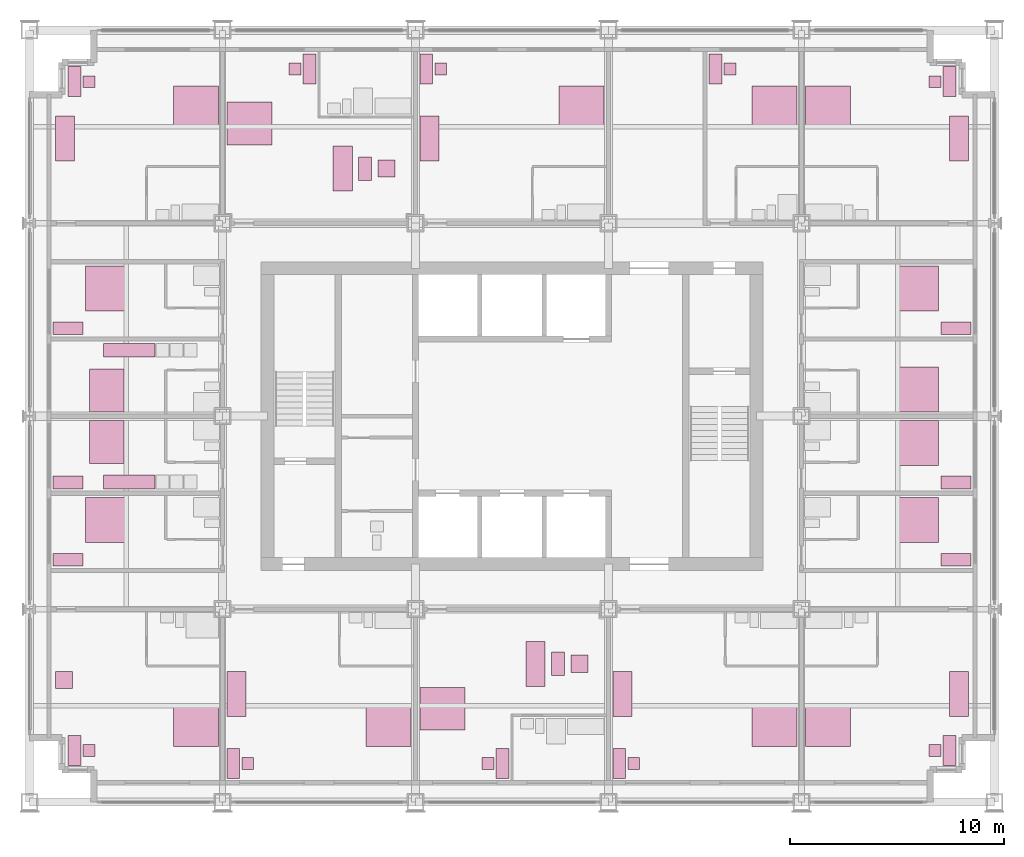
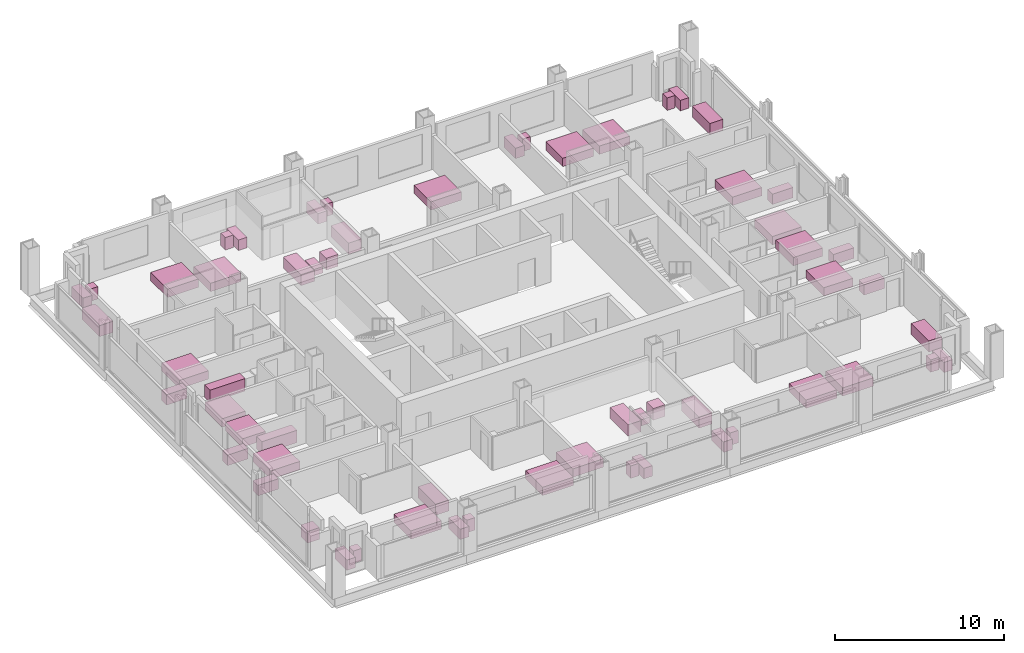
# One storey, part 16 of 16: 59 furniture elements.
"""IFC4 building model written with IfcOpenShell, lengths in metres."""

from ifc_helpers import new_model, si_unit, direction, frame, origin, origin_2d, place, context, subcontext, project, spatial, rectangle, extrude, element, save


model = new_model("IFC4")

# Units and contexts
model_context = context("Model", 3, precision=1e-05, world=origin(), true_north=direction((0.0, 1.0)))
body_context = subcontext(model_context, "Body", "Model", "MODEL_VIEW")
ifc_project = project(units=[si_unit("LENGTHUNIT", "METRE"), si_unit("AREAUNIT", "SQUARE_METRE"), si_unit("VOLUMEUNIT", "CUBIC_METRE"), si_unit("PLANEANGLEUNIT", "RADIAN"), si_unit("MASSUNIT", "GRAM", prefix="KILO")], contexts=[model_context])

# Site, building, storey
site_placement = place(None, origin())
site = spatial("IfcSite", under=ifc_project, at=site_placement, CompositionType="ELEMENT")
building_placement = place(site_placement, origin())
building = spatial("IfcBuilding", under=site, at=building_placement, Name="Loomwork Tower", CompositionType="ELEMENT")
storey_placement = place(building_placement, frame((0.0, 0.0, 114.60009765625)))
storey = spatial("IfcBuildingStorey", under=building, at=storey_placement, Name="L30", CompositionType="ELEMENT", Elevation=114.60009765625)

# Furniture
furniture_1_placement = place(storey_placement, frame((7.75, 3.60009765625, -0.000244140625), z_axis=(0.0, 0.0, 1.0), x_axis=(1.0, 0.0, 0.0)))
element("IfcFurniture", 1, at=furniture_1_placement, inside=storey, Name="King bed L30", PredefinedType="BED", context=body_context, shape_type="SweptSolid", body=[
    extrude(rectangle(XDim=2.10009765625, YDim=2.0, at=origin_2d()), origin(), (0.0, 0.0, 1.0), 0.60009765625),
])
furniture_2_placement = place(storey_placement, frame((2.10009765625, 2.39990234375, 0.0), z_axis=(0.0, 0.0, 1.0), x_axis=(1.0, 0.0, 0.0)))
element("IfcFurniture", 2, at=furniture_2_placement, inside=storey, Name="Writing desk L30", PredefinedType="DESK", context=body_context, shape_type="SweptSolid", body=[
    extrude(rectangle(XDim=0.60009765625, YDim=1.39990234375, at=origin_2d()), origin(), (0.0, 0.0, 1.0), 0.75),
])
furniture_3_placement = place(storey_placement, frame((2.77490234375, 2.39990234375, 0.0), z_axis=(0.0, 0.0, 1.0), x_axis=(1.0, 0.0, 0.0)))
element("IfcFurniture", 3, at=furniture_3_placement, inside=storey, Name="Desk chair L30", PredefinedType="CHAIR", context=body_context, shape_type="SweptSolid", body=[
    extrude(rectangle(XDim=0.550048828125, YDim=0.550048828125, at=origin_2d()), origin(), (0.0, 0.0, 1.0), 0.89990234375),
])
furniture_4_placement = place(storey_placement, frame((1.60009765625, 5.699951171875, -0.000244140625), z_axis=(0.0, 0.0, 1.0), x_axis=(1.0, 0.0, 0.0)))
element("IfcFurniture", 4, at=furniture_4_placement, inside=storey, Name="Lounge armchair L30", PredefinedType="CHAIR", context=body_context, shape_type="SweptSolid", body=[
    extrude(rectangle(XDim=0.800048828125, YDim=0.800048828125, at=origin_2d()), origin(), (0.0, 0.0, 1.0), 0.85009765625),
])
furniture_5_placement = place(storey_placement, frame((16.75, 3.60009765625, -0.000244140625), z_axis=(0.0, 0.0, 1.0), x_axis=(1.0, 0.0, 0.0)))
element("IfcFurniture", 5, at=furniture_5_placement, inside=storey, Name="King bed L30", PredefinedType="BED", context=body_context, shape_type="SweptSolid", body=[
    extrude(rectangle(XDim=2.10009765625, YDim=2.0, at=origin_2d()), origin(), (0.0, 0.0, 1.0), 0.60009765625),
])
furniture_6_placement = place(storey_placement, frame((9.5, 1.800048828125, 0.0), z_axis=(0.0, 0.0, 1.0), x_axis=(1.0, 0.0, 0.0)))
element("IfcFurniture", 6, at=furniture_6_placement, inside=storey, Name="Writing desk L30", PredefinedType="DESK", context=body_context, shape_type="SweptSolid", body=[
    extrude(rectangle(XDim=0.60009765625, YDim=1.39990234375, at=origin_2d()), origin(), (0.0, 0.0, 1.0), 0.75),
])
furniture_7_placement = place(storey_placement, frame((10.175048828125, 1.800048828125, 0.0), z_axis=(0.0, 0.0, 1.0), x_axis=(1.0, 0.0, 0.0)))
element("IfcFurniture", 7, at=furniture_7_placement, inside=storey, Name="Desk chair L30", PredefinedType="CHAIR", context=body_context, shape_type="SweptSolid", body=[
    extrude(rectangle(XDim=0.550048828125, YDim=0.550048828125, at=origin_2d()), origin(), (0.0, 0.0, 1.0), 0.89990234375),
])
furniture_8_placement = place(storey_placement, frame((9.64990234375, 5.050048828125, 0.0), z_axis=(0.0, 0.0, 1.0), x_axis=(1.0, 0.0, 0.0)))
element("IfcFurniture", 8, at=furniture_8_placement, inside=storey, Name="Sofa L30", PredefinedType="SOFA", context=body_context, shape_type="SweptSolid", body=[
    extrude(rectangle(XDim=0.89990234375, YDim=2.10009765625, at=origin_2d()), origin(), (0.0, 0.0, 1.0), 0.800048828125),
])
furniture_9_placement = place(storey_placement, frame((19.25, 4.35009765625, -0.000244140625), z_axis=(0.0, 0.0, 1.0), x_axis=(1.0, 0.0, 0.0)))
element("IfcFurniture", 9, at=furniture_9_placement, inside=storey, Name="King bed L30", PredefinedType="BED", context=body_context, shape_type="SweptSolid", body=[
    extrude(rectangle(XDim=2.10009765625, YDim=2.0, at=origin_2d()), origin(), (0.0, 0.0, 1.0), 0.60009765625),
])
furniture_10_placement = place(storey_placement, frame((22.050048828125, 1.800048828125, 0.0), z_axis=(0.0, 0.0, 1.0), x_axis=(1.0, 0.0, 0.0)))
element("IfcFurniture", 10, at=furniture_10_placement, inside=storey, Name="Writing desk L30", PredefinedType="DESK", context=body_context, shape_type="SweptSolid", body=[
    extrude(rectangle(XDim=0.60009765625, YDim=1.39990234375, at=origin_2d()), origin(), (0.0, 0.0, 1.0), 0.75),
])
furniture_11_placement = place(storey_placement, frame((21.375, 1.800048828125, 0.0), z_axis=(0.0, 0.0, 1.0), x_axis=(1.0, 0.0, 0.0)))
element("IfcFurniture", 11, at=furniture_11_placement, inside=storey, Name="Desk chair L30", PredefinedType="CHAIR", context=body_context, shape_type="SweptSolid", body=[
    extrude(rectangle(XDim=0.550048828125, YDim=0.550048828125, at=origin_2d()), origin(), (0.0, 0.0, 1.0), 0.89990234375),
])
furniture_12_placement = place(storey_placement, frame((23.60009765625, 6.449951171875, 0.0), z_axis=(0.0, 0.0, 1.0), x_axis=(1.0, 0.0, 0.0)))
element("IfcFurniture", 12, at=furniture_12_placement, inside=storey, Name="Sofa L30", PredefinedType="SOFA", context=body_context, shape_type="SweptSolid", body=[
    extrude(rectangle(XDim=0.89990234375, YDim=2.10009765625, at=origin_2d()), origin(), (0.0, 0.0, 1.0), 0.800048828125),
])
furniture_13_placement = place(storey_placement, frame((24.64990234375, 6.449951171875, 0.0), z_axis=(0.0, 0.0, 1.0), x_axis=(1.0, 0.0, 0.0)))
element("IfcFurniture", 13, at=furniture_13_placement, inside=storey, Name="Coffee table L30", PredefinedType="TABLE", context=body_context, shape_type="SweptSolid", body=[
    extrude(rectangle(XDim=0.60009765625, YDim=1.10009765625, at=origin_2d()), origin(), (0.0, 0.0, 1.0), 0.449951171875),
])
furniture_14_placement = place(storey_placement, frame((25.64990234375, 6.449951171875, -0.000244140625), z_axis=(0.0, 0.0, 1.0), x_axis=(1.0, 0.0, 0.0)))
element("IfcFurniture", 14, at=furniture_14_placement, inside=storey, Name="Lounge armchair L30", PredefinedType="CHAIR", context=body_context, shape_type="SweptSolid", body=[
    extrude(rectangle(XDim=0.800048828125, YDim=0.800048828125, at=origin_2d()), origin(), (0.0, 0.0, 1.0), 0.85009765625),
])
furniture_15_placement = place(storey_placement, frame((34.75, 3.60009765625, -0.000244140625), z_axis=(0.0, 0.0, 1.0), x_axis=(1.0, 0.0, 0.0)))
element("IfcFurniture", 15, at=furniture_15_placement, inside=storey, Name="King bed L30", PredefinedType="BED", context=body_context, shape_type="SweptSolid", body=[
    extrude(rectangle(XDim=2.10009765625, YDim=2.0, at=origin_2d()), origin(), (0.0, 0.0, 1.0), 0.60009765625),
])
furniture_16_placement = place(storey_placement, frame((27.5, 1.800048828125, 0.0), z_axis=(0.0, 0.0, 1.0), x_axis=(1.0, 0.0, 0.0)))
element("IfcFurniture", 16, at=furniture_16_placement, inside=storey, Name="Writing desk L30", PredefinedType="DESK", context=body_context, shape_type="SweptSolid", body=[
    extrude(rectangle(XDim=0.60009765625, YDim=1.39990234375, at=origin_2d()), origin(), (0.0, 0.0, 1.0), 0.75),
])
furniture_17_placement = place(storey_placement, frame((28.175048828125, 1.800048828125, 0.0), z_axis=(0.0, 0.0, 1.0), x_axis=(1.0, 0.0, 0.0)))
element("IfcFurniture", 17, at=furniture_17_placement, inside=storey, Name="Desk chair L30", PredefinedType="CHAIR", context=body_context, shape_type="SweptSolid", body=[
    extrude(rectangle(XDim=0.550048828125, YDim=0.550048828125, at=origin_2d()), origin(), (0.0, 0.0, 1.0), 0.89990234375),
])
furniture_18_placement = place(storey_placement, frame((27.64990234375, 5.050048828125, 0.0), z_axis=(0.0, 0.0, 1.0), x_axis=(1.0, 0.0, 0.0)))
element("IfcFurniture", 18, at=furniture_18_placement, inside=storey, Name="Sofa L30", PredefinedType="SOFA", context=body_context, shape_type="SweptSolid", body=[
    extrude(rectangle(XDim=0.89990234375, YDim=2.10009765625, at=origin_2d()), origin(), (0.0, 0.0, 1.0), 0.800048828125),
])
furniture_19_placement = place(storey_placement, frame((37.25, 3.60009765625, -0.000244140625), z_axis=(0.0, 0.0, 1.0), x_axis=(1.0, 0.0, 0.0)))
element("IfcFurniture", 19, at=furniture_19_placement, inside=storey, Name="King bed L30", PredefinedType="BED", context=body_context, shape_type="SweptSolid", body=[
    extrude(rectangle(XDim=2.10009765625, YDim=2.0, at=origin_2d()), origin(), (0.0, 0.0, 1.0), 0.60009765625),
])
furniture_20_placement = place(storey_placement, frame((42.89990234375, 2.39990234375, 0.0), z_axis=(0.0, 0.0, 1.0), x_axis=(1.0, 0.0, 0.0)))
element("IfcFurniture", 20, at=furniture_20_placement, inside=storey, Name="Writing desk L30", PredefinedType="DESK", context=body_context, shape_type="SweptSolid", body=[
    extrude(rectangle(XDim=0.60009765625, YDim=1.39990234375, at=origin_2d()), origin(), (0.0, 0.0, 1.0), 0.75),
])
furniture_21_placement = place(storey_placement, frame((42.22509765625, 2.39990234375, 0.0), z_axis=(0.0, 0.0, 1.0), x_axis=(1.0, 0.0, 0.0)))
element("IfcFurniture", 21, at=furniture_21_placement, inside=storey, Name="Desk chair L30", PredefinedType="CHAIR", context=body_context, shape_type="SweptSolid", body=[
    extrude(rectangle(XDim=0.550048828125, YDim=0.550048828125, at=origin_2d()), origin(), (0.0, 0.0, 1.0), 0.89990234375),
])
furniture_22_placement = place(storey_placement, frame((43.35009765625, 5.050048828125, 0.0), z_axis=(0.0, 0.0, 1.0), x_axis=(1.0, 0.0, 0.0)))
element("IfcFurniture", 22, at=furniture_22_placement, inside=storey, Name="Sofa L30", PredefinedType="SOFA", context=body_context, shape_type="SweptSolid", body=[
    extrude(rectangle(XDim=0.89990234375, YDim=2.10009765625, at=origin_2d()), origin(), (0.0, 0.0, 1.0), 0.800048828125),
])
furniture_23_placement = place(storey_placement, frame((7.75, 32.39990234375, -0.000244140625), z_axis=(0.0, 0.0, 1.0), x_axis=(1.0, 0.0, 0.0)))
element("IfcFurniture", 23, at=furniture_23_placement, inside=storey, Name="King bed L30", PredefinedType="BED", context=body_context, shape_type="SweptSolid", body=[
    extrude(rectangle(XDim=2.10009765625, YDim=2.0, at=origin_2d()), origin(), (0.0, 0.0, 1.0), 0.60009765625),
])
furniture_24_placement = place(storey_placement, frame((2.10009765625, 33.60009765625, 0.0), z_axis=(0.0, 0.0, 1.0), x_axis=(1.0, 0.0, 0.0)))
element("IfcFurniture", 24, at=furniture_24_placement, inside=storey, Name="Writing desk L30", PredefinedType="DESK", context=body_context, shape_type="SweptSolid", body=[
    extrude(rectangle(XDim=0.60009765625, YDim=1.39990234375, at=origin_2d()), origin(), (0.0, 0.0, 1.0), 0.75),
])
furniture_25_placement = place(storey_placement, frame((2.77490234375, 33.60009765625, 0.0), z_axis=(0.0, 0.0, 1.0), x_axis=(1.0, 0.0, 0.0)))
element("IfcFurniture", 25, at=furniture_25_placement, inside=storey, Name="Desk chair L30", PredefinedType="CHAIR", context=body_context, shape_type="SweptSolid", body=[
    extrude(rectangle(XDim=0.550048828125, YDim=0.550048828125, at=origin_2d()), origin(), (0.0, 0.0, 1.0), 0.89990234375),
])
furniture_26_placement = place(storey_placement, frame((1.64990234375, 30.949951171875, 0.0), z_axis=(0.0, 0.0, 1.0), x_axis=(1.0, 0.0, 0.0)))
element("IfcFurniture", 26, at=furniture_26_placement, inside=storey, Name="Sofa L30", PredefinedType="SOFA", context=body_context, shape_type="SweptSolid", body=[
    extrude(rectangle(XDim=0.89990234375, YDim=2.10009765625, at=origin_2d()), origin(), (0.0, 0.0, 1.0), 0.800048828125),
])
furniture_27_placement = place(storey_placement, frame((10.25, 31.64990234375, -0.000244140625), z_axis=(0.0, 0.0, 1.0), x_axis=(1.0, 0.0, 0.0)))
element("IfcFurniture", 27, at=furniture_27_placement, inside=storey, Name="King bed L30", PredefinedType="BED", context=body_context, shape_type="SweptSolid", body=[
    extrude(rectangle(XDim=2.10009765625, YDim=2.0, at=origin_2d()), origin(), (0.0, 0.0, 1.0), 0.60009765625),
])
furniture_28_placement = place(storey_placement, frame((13.050048828125, 34.199951171875, 0.0), z_axis=(0.0, 0.0, 1.0), x_axis=(1.0, 0.0, 0.0)))
element("IfcFurniture", 28, at=furniture_28_placement, inside=storey, Name="Writing desk L30", PredefinedType="DESK", context=body_context, shape_type="SweptSolid", body=[
    extrude(rectangle(XDim=0.60009765625, YDim=1.39990234375, at=origin_2d()), origin(), (0.0, 0.0, 1.0), 0.75),
])
furniture_29_placement = place(storey_placement, frame((12.375, 34.199951171875, 0.0), z_axis=(0.0, 0.0, 1.0), x_axis=(1.0, 0.0, 0.0)))
element("IfcFurniture", 29, at=furniture_29_placement, inside=storey, Name="Desk chair L30", PredefinedType="CHAIR", context=body_context, shape_type="SweptSolid", body=[
    extrude(rectangle(XDim=0.550048828125, YDim=0.550048828125, at=origin_2d()), origin(), (0.0, 0.0, 1.0), 0.89990234375),
])
furniture_30_placement = place(storey_placement, frame((14.60009765625, 29.550048828125, 0.0), z_axis=(0.0, 0.0, 1.0), x_axis=(1.0, 0.0, 0.0)))
element("IfcFurniture", 30, at=furniture_30_placement, inside=storey, Name="Sofa L30", PredefinedType="SOFA", context=body_context, shape_type="SweptSolid", body=[
    extrude(rectangle(XDim=0.89990234375, YDim=2.10009765625, at=origin_2d()), origin(), (0.0, 0.0, 1.0), 0.800048828125),
])
furniture_31_placement = place(storey_placement, frame((15.64990234375, 29.550048828125, 0.0), z_axis=(0.0, 0.0, 1.0), x_axis=(1.0, 0.0, 0.0)))
element("IfcFurniture", 31, at=furniture_31_placement, inside=storey, Name="Coffee table L30", PredefinedType="TABLE", context=body_context, shape_type="SweptSolid", body=[
    extrude(rectangle(XDim=0.60009765625, YDim=1.10009765625, at=origin_2d()), origin(), (0.0, 0.0, 1.0), 0.449951171875),
])
furniture_32_placement = place(storey_placement, frame((16.64990234375, 29.550048828125, -0.000244140625), z_axis=(0.0, 0.0, 1.0), x_axis=(1.0, 0.0, 0.0)))
element("IfcFurniture", 32, at=furniture_32_placement, inside=storey, Name="Lounge armchair L30", PredefinedType="CHAIR", context=body_context, shape_type="SweptSolid", body=[
    extrude(rectangle(XDim=0.800048828125, YDim=0.800048828125, at=origin_2d()), origin(), (0.0, 0.0, 1.0), 0.85009765625),
])
furniture_33_placement = place(storey_placement, frame((25.75, 32.39990234375, -0.000244140625), z_axis=(0.0, 0.0, 1.0), x_axis=(1.0, 0.0, 0.0)))
element("IfcFurniture", 33, at=furniture_33_placement, inside=storey, Name="King bed L30", PredefinedType="BED", context=body_context, shape_type="SweptSolid", body=[
    extrude(rectangle(XDim=2.10009765625, YDim=2.0, at=origin_2d()), origin(), (0.0, 0.0, 1.0), 0.60009765625),
])
furniture_34_placement = place(storey_placement, frame((18.5, 34.199951171875, 0.0), z_axis=(0.0, 0.0, 1.0), x_axis=(1.0, 0.0, 0.0)))
element("IfcFurniture", 34, at=furniture_34_placement, inside=storey, Name="Writing desk L30", PredefinedType="DESK", context=body_context, shape_type="SweptSolid", body=[
    extrude(rectangle(XDim=0.60009765625, YDim=1.39990234375, at=origin_2d()), origin(), (0.0, 0.0, 1.0), 0.75),
])
furniture_35_placement = place(storey_placement, frame((19.175048828125, 34.199951171875, 0.0), z_axis=(0.0, 0.0, 1.0), x_axis=(1.0, 0.0, 0.0)))
element("IfcFurniture", 35, at=furniture_35_placement, inside=storey, Name="Desk chair L30", PredefinedType="CHAIR", context=body_context, shape_type="SweptSolid", body=[
    extrude(rectangle(XDim=0.550048828125, YDim=0.550048828125, at=origin_2d()), origin(), (0.0, 0.0, 1.0), 0.89990234375),
])
furniture_36_placement = place(storey_placement, frame((18.64990234375, 30.949951171875, 0.0), z_axis=(0.0, 0.0, 1.0), x_axis=(1.0, 0.0, 0.0)))
element("IfcFurniture", 36, at=furniture_36_placement, inside=storey, Name="Sofa L30", PredefinedType="SOFA", context=body_context, shape_type="SweptSolid", body=[
    extrude(rectangle(XDim=0.89990234375, YDim=2.10009765625, at=origin_2d()), origin(), (0.0, 0.0, 1.0), 0.800048828125),
])
furniture_37_placement = place(storey_placement, frame((34.75, 32.39990234375, -0.000244140625), z_axis=(0.0, 0.0, 1.0), x_axis=(1.0, 0.0, 0.0)))
element("IfcFurniture", 37, at=furniture_37_placement, inside=storey, Name="King bed L30", PredefinedType="BED", context=body_context, shape_type="SweptSolid", body=[
    extrude(rectangle(XDim=2.10009765625, YDim=2.0, at=origin_2d()), origin(), (0.0, 0.0, 1.0), 0.60009765625),
])
furniture_38_placement = place(storey_placement, frame((32.0, 34.199951171875, 0.0), z_axis=(0.0, 0.0, 1.0), x_axis=(1.0, 0.0, 0.0)))
element("IfcFurniture", 38, at=furniture_38_placement, inside=storey, Name="Writing desk L30", PredefinedType="DESK", context=body_context, shape_type="SweptSolid", body=[
    extrude(rectangle(XDim=0.60009765625, YDim=1.39990234375, at=origin_2d()), origin(), (0.0, 0.0, 1.0), 0.75),
])
furniture_39_placement = place(storey_placement, frame((32.675048828125, 34.199951171875, 0.0), z_axis=(0.0, 0.0, 1.0), x_axis=(1.0, 0.0, 0.0)))
element("IfcFurniture", 39, at=furniture_39_placement, inside=storey, Name="Desk chair L30", PredefinedType="CHAIR", context=body_context, shape_type="SweptSolid", body=[
    extrude(rectangle(XDim=0.550048828125, YDim=0.550048828125, at=origin_2d()), origin(), (0.0, 0.0, 1.0), 0.89990234375),
])
furniture_40_placement = place(storey_placement, frame((37.25, 32.39990234375, -0.000244140625), z_axis=(0.0, 0.0, 1.0), x_axis=(1.0, 0.0, 0.0)))
element("IfcFurniture", 40, at=furniture_40_placement, inside=storey, Name="King bed L30", PredefinedType="BED", context=body_context, shape_type="SweptSolid", body=[
    extrude(rectangle(XDim=2.10009765625, YDim=2.0, at=origin_2d()), origin(), (0.0, 0.0, 1.0), 0.60009765625),
])
furniture_41_placement = place(storey_placement, frame((42.89990234375, 33.60009765625, 0.0), z_axis=(0.0, 0.0, 1.0), x_axis=(1.0, 0.0, 0.0)))
element("IfcFurniture", 41, at=furniture_41_placement, inside=storey, Name="Writing desk L30", PredefinedType="DESK", context=body_context, shape_type="SweptSolid", body=[
    extrude(rectangle(XDim=0.60009765625, YDim=1.39990234375, at=origin_2d()), origin(), (0.0, 0.0, 1.0), 0.75),
])
furniture_42_placement = place(storey_placement, frame((42.22509765625, 33.60009765625, 0.0), z_axis=(0.0, 0.0, 1.0), x_axis=(1.0, 0.0, 0.0)))
element("IfcFurniture", 42, at=furniture_42_placement, inside=storey, Name="Desk chair L30", PredefinedType="CHAIR", context=body_context, shape_type="SweptSolid", body=[
    extrude(rectangle(XDim=0.550048828125, YDim=0.550048828125, at=origin_2d()), origin(), (0.0, 0.0, 1.0), 0.89990234375),
])
furniture_43_placement = place(storey_placement, frame((43.35009765625, 30.949951171875, 0.0), z_axis=(0.0, 0.0, 1.0), x_axis=(1.0, 0.0, 0.0)))
element("IfcFurniture", 43, at=furniture_43_placement, inside=storey, Name="Sofa L30", PredefinedType="SOFA", context=body_context, shape_type="SweptSolid", body=[
    extrude(rectangle(XDim=0.89990234375, YDim=2.10009765625, at=origin_2d()), origin(), (0.0, 0.0, 1.0), 0.800048828125),
])
furniture_44_placement = place(storey_placement, frame((3.60009765625, 13.14990234375, -0.000244140625), z_axis=(0.0, 0.0, 1.0), x_axis=(1.0, 0.0, 0.0)))
element("IfcFurniture", 44, at=furniture_44_placement, inside=storey, Name="King bed L30", PredefinedType="BED", context=body_context, shape_type="SweptSolid", body=[
    extrude(rectangle(XDim=2.0, YDim=2.10009765625, at=origin_2d()), origin(), (0.0, 0.0, 1.0), 0.60009765625),
])
furniture_45_placement = place(storey_placement, frame((1.800048828125, 11.300048828125, 0.0), z_axis=(0.0, 0.0, 1.0), x_axis=(1.0, 0.0, 0.0)))
element("IfcFurniture", 45, at=furniture_45_placement, inside=storey, Name="Writing desk L30", PredefinedType="DESK", context=body_context, shape_type="SweptSolid", body=[
    extrude(rectangle(XDim=1.39990234375, YDim=0.60009765625, at=origin_2d()), origin(), (0.0, 0.0, 1.0), 0.75),
])
furniture_46_placement = place(storey_placement, frame((3.60009765625, 16.800048828125, -0.000244140625), z_axis=(0.0, 0.0, 1.0), x_axis=(1.0, 0.0, 0.0)))
element("IfcFurniture", 46, at=furniture_46_placement, inside=storey, Name="Queen bed L30", PredefinedType="BED", context=body_context, shape_type="SweptSolid", body=[
    extrude(rectangle(XDim=1.60009765625, YDim=2.0, at=origin_2d()), origin(), (0.0, 0.0, 1.0), 0.60009765625),
])
furniture_47_placement = place(storey_placement, frame((1.800048828125, 14.89990234375, 0.0), z_axis=(0.0, 0.0, 1.0), x_axis=(1.0, 0.0, 0.0)))
element("IfcFurniture", 47, at=furniture_47_placement, inside=storey, Name="Writing desk L30", PredefinedType="DESK", context=body_context, shape_type="SweptSolid", body=[
    extrude(rectangle(XDim=1.39990234375, YDim=0.60009765625, at=origin_2d()), origin(), (0.0, 0.0, 1.0), 0.75),
])
furniture_48_placement = place(storey_placement, frame((4.64990234375, 14.925048828125, 0.0), z_axis=(0.0, 0.0, 1.0), x_axis=(1.0, 0.0, 0.0)))
element("IfcFurniture", 48, at=furniture_48_placement, inside=storey, Name="Kitchenette counter L30", ObjectType="KITCHENETTE", PredefinedType="USERDEFINED", context=body_context, shape_type="SweptSolid", body=[
    extrude(rectangle(XDim=2.39990234375, YDim=0.64990234375, at=origin_2d()), origin(), (0.0, 0.0, 1.0), 0.89990234375),
])
furniture_49_placement = place(storey_placement, frame((3.60009765625, 19.199951171875, -0.000244140625), z_axis=(0.0, 0.0, 1.0), x_axis=(1.0, 0.0, 0.0)))
element("IfcFurniture", 49, at=furniture_49_placement, inside=storey, Name="Queen bed L30", PredefinedType="BED", context=body_context, shape_type="SweptSolid", body=[
    extrude(rectangle(XDim=1.60009765625, YDim=2.0, at=origin_2d()), origin(), (0.0, 0.0, 1.0), 0.60009765625),
])
furniture_50_placement = place(storey_placement, frame((4.64990234375, 21.074951171875, 0.0), z_axis=(0.0, 0.0, 1.0), x_axis=(1.0, 0.0, 0.0)))
element("IfcFurniture", 50, at=furniture_50_placement, inside=storey, Name="Kitchenette counter L30", ObjectType="KITCHENETTE", PredefinedType="USERDEFINED", context=body_context, shape_type="SweptSolid", body=[
    extrude(rectangle(XDim=2.39990234375, YDim=0.64990234375, at=origin_2d()), origin(), (0.0, 0.0, 1.0), 0.89990234375),
])
furniture_51_placement = place(storey_placement, frame((3.60009765625, 23.949951171875, -0.000244140625), z_axis=(0.0, 0.0, 1.0), x_axis=(1.0, 0.0, 0.0)))
element("IfcFurniture", 51, at=furniture_51_placement, inside=storey, Name="King bed L30", PredefinedType="BED", context=body_context, shape_type="SweptSolid", body=[
    extrude(rectangle(XDim=2.0, YDim=2.10009765625, at=origin_2d()), origin(), (0.0, 0.0, 1.0), 0.60009765625),
])
furniture_52_placement = place(storey_placement, frame((1.800048828125, 22.10009765625, 0.0), z_axis=(0.0, 0.0, 1.0), x_axis=(1.0, 0.0, 0.0)))
element("IfcFurniture", 52, at=furniture_52_placement, inside=storey, Name="Writing desk L30", PredefinedType="DESK", context=body_context, shape_type="SweptSolid", body=[
    extrude(rectangle(XDim=1.39990234375, YDim=0.60009765625, at=origin_2d()), origin(), (0.0, 0.0, 1.0), 0.75),
])
furniture_53_placement = place(storey_placement, frame((41.39990234375, 13.14990234375, -0.000244140625), z_axis=(0.0, 0.0, 1.0), x_axis=(1.0, 0.0, 0.0)))
element("IfcFurniture", 53, at=furniture_53_placement, inside=storey, Name="King bed L30", PredefinedType="BED", context=body_context, shape_type="SweptSolid", body=[
    extrude(rectangle(XDim=2.0, YDim=2.10009765625, at=origin_2d()), origin(), (0.0, 0.0, 1.0), 0.60009765625),
])
furniture_54_placement = place(storey_placement, frame((43.199951171875, 11.300048828125, 0.0), z_axis=(0.0, 0.0, 1.0), x_axis=(1.0, 0.0, 0.0)))
element("IfcFurniture", 54, at=furniture_54_placement, inside=storey, Name="Writing desk L30", PredefinedType="DESK", context=body_context, shape_type="SweptSolid", body=[
    extrude(rectangle(XDim=1.39990234375, YDim=0.60009765625, at=origin_2d()), origin(), (0.0, 0.0, 1.0), 0.75),
])
furniture_55_placement = place(storey_placement, frame((41.39990234375, 16.75, -0.000244140625), z_axis=(0.0, 0.0, 1.0), x_axis=(1.0, 0.0, 0.0)))
element("IfcFurniture", 55, at=furniture_55_placement, inside=storey, Name="King bed L30", PredefinedType="BED", context=body_context, shape_type="SweptSolid", body=[
    extrude(rectangle(XDim=2.0, YDim=2.10009765625, at=origin_2d()), origin(), (0.0, 0.0, 1.0), 0.60009765625),
])
furniture_56_placement = place(storey_placement, frame((43.199951171875, 14.89990234375, 0.0), z_axis=(0.0, 0.0, 1.0), x_axis=(1.0, 0.0, 0.0)))
element("IfcFurniture", 56, at=furniture_56_placement, inside=storey, Name="Writing desk L30", PredefinedType="DESK", context=body_context, shape_type="SweptSolid", body=[
    extrude(rectangle(XDim=1.39990234375, YDim=0.60009765625, at=origin_2d()), origin(), (0.0, 0.0, 1.0), 0.75),
])
for number, where, z_axis, x_axis, name in (
    (57, (41.39990234375, 19.25, -0.000244140625), (0.0, 0.0, 1.0), (1.0, 0.0, 0.0), "King bed L30"),
    (58, (41.39990234375, 23.949951171875, -0.000244140625), (0.0, 0.0, 1.0), (1.0, 0.0, 0.0), "King bed L30"),
):
    element("IfcFurniture", number, at=place(storey_placement, frame(where, z_axis=z_axis, x_axis=x_axis)), inside=storey, Name=name, PredefinedType="BED", context=body_context, shape_type="SweptSolid", body=[
        extrude(rectangle(XDim=2.0, YDim=2.10009765625, at=origin_2d()), origin(), (0.0, 0.0, 1.0), 0.60009765625),
    ])
furniture_57_placement = place(storey_placement, frame((43.199951171875, 22.10009765625, 0.0), z_axis=(0.0, 0.0, 1.0), x_axis=(1.0, 0.0, 0.0)))
element("IfcFurniture", 59, at=furniture_57_placement, inside=storey, Name="Writing desk L30", PredefinedType="DESK", context=body_context, shape_type="SweptSolid", body=[
    extrude(rectangle(XDim=1.39990234375, YDim=0.60009765625, at=origin_2d()), origin(), (0.0, 0.0, 1.0), 0.75),
])

save(model, "model.ifc")
